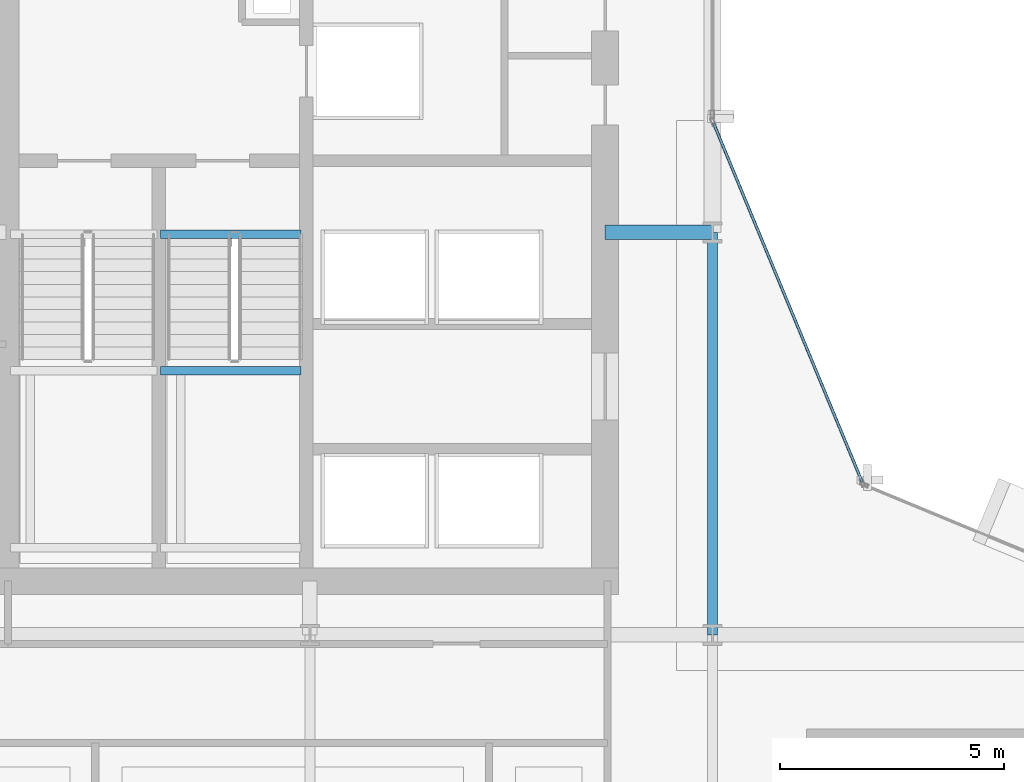
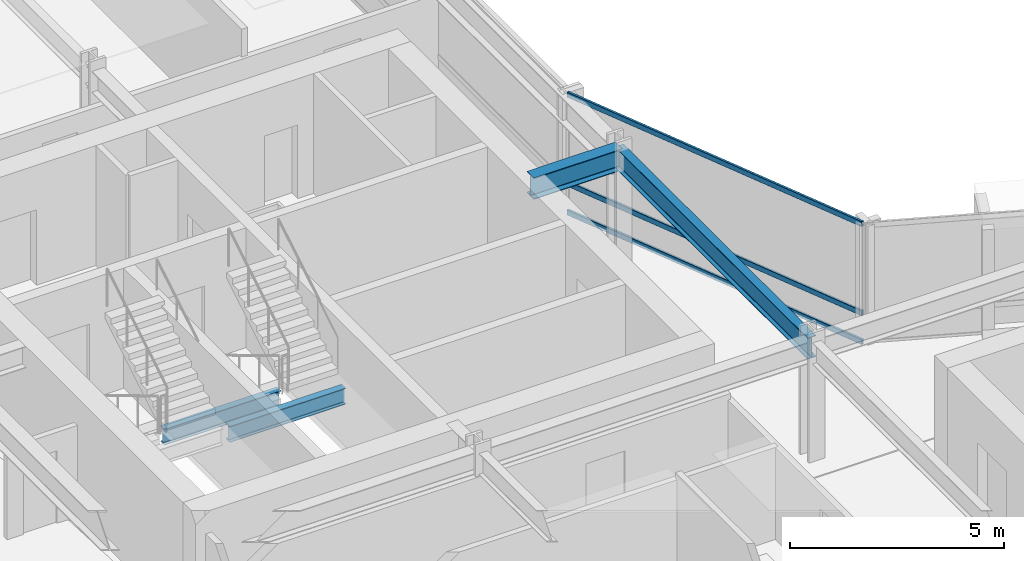
# One storey, part 20 of 34: 4 beams, 3 members, 1 element without a shape of its own.
"""IFC4 building model written with IfcOpenShell, lengths in metres."""

from ifc_helpers import new_model, si_unit, direction, frame, origin, origin_2d, place, context, subcontext, project, spatial, hollow_rectangle, i_section, extrude, material, layer, layer_set, material_profile, profile_set, type_object, element, aggregate, save


model = new_model("IFC4")

# Units and contexts
model_context = context("Model", 3, precision=1e-05, world=origin(), true_north=direction((0.0, 1.0)))
body_context = subcontext(model_context, "Body", "Model", "MODEL_VIEW")
ifc_project = project(units=[si_unit("LENGTHUNIT", "METRE"), si_unit("AREAUNIT", "SQUARE_METRE"), si_unit("VOLUMEUNIT", "CUBIC_METRE"), si_unit("PLANEANGLEUNIT", "RADIAN"), si_unit("MASSUNIT", "GRAM", prefix="KILO")], contexts=[model_context])

# Site, building, storey
site_placement = place(None, origin())
site = spatial("IfcSite", under=ifc_project, at=site_placement, CompositionType="ELEMENT")
building_placement = place(site_placement, origin())
building = spatial("IfcBuilding", under=site, at=building_placement, Name="Solvaryn Broadcast Tower", CompositionType="ELEMENT")
storey_placement = place(building_placement, frame((0.0, 0.0, 76.699951171875)))
storey = spatial("IfcBuildingStorey", under=building, at=storey_placement, Name="L18", CompositionType="ELEMENT", Elevation=76.699951171875)

# Beams
ifc_material_1 = material(Name="Steel ASTM A992 Grade 50", Category="steel")
ifc_material_profile_1 = material_profile(ifc_material_1, i_section(OverallWidth=0.323974609375, OverallDepth=0.611083984375, WebThickness=0.0126953125, FlangeThickness=0.01904296875, FilletRadius=0.014892578125, at=origin_2d()))
ifc_profile_set_1 = profile_set([ifc_material_profile_1], Name="Steel ASTM A992 Grade 50")
beam_type_1 = type_object("IfcBeamType", Name="BM-B1-W24X104", PredefinedType="BEAM", material=ifc_profile_set_1)
beam_1_placement = place(storey_placement, frame((24.60009765625, 36.0, 3.114501953125), z_axis=(1.0, 0.0, 0.0), x_axis=(0.0, 1.0, 0.0)))
element("IfcBeam", 1, at=beam_1_placement, inside=storey, type_object=beam_type_1, Name="L18 Core Tie Beam CTW2", PredefinedType="BEAM", context=body_context, shape_type="SweptSolid", body=[
    extrude(i_section(OverallWidth=0.323974609375, OverallDepth=0.611083984375, WebThickness=0.0126953125, FlangeThickness=0.01904296875, FilletRadius=0.014892578125, at=origin_2d()), origin(), (0.0, 0.0, 1.0), 2.39990234375),
])
ifc_material_2 = material(Name="Steel ASTM A992 Grade 50", Category="steel")
ifc_material_profile_2 = material_profile(ifc_material_2, i_section(OverallWidth=0.22802734375, OverallDepth=0.60791015625, WebThickness=0.01123046875, FlangeThickness=0.017333984375, FilletRadius=0.014892578125, at=origin_2d()))
ifc_profile_set_2 = profile_set([ifc_material_profile_2], Name="Steel ASTM A992 Grade 50")
beam_type_2 = type_object("IfcBeamType", Name="BM-B2-W24X76", PredefinedType="BEAM", material=ifc_profile_set_2)
beam_2_placement = place(storey_placement, frame((27.0, 27.0, 3.115966796875), z_axis=(0.0, 1.0, 0.0), x_axis=(-1.0, 0.0, 0.0)))
element("IfcBeam", 2, at=beam_2_placement, inside=storey, type_object=beam_type_2, Name="L18 Primary Beam Y (27-36 @ X=27)", PredefinedType="BEAM", context=body_context, shape_type="SweptSolid", body=[
    extrude(i_section(OverallWidth=0.22802734375, OverallDepth=0.60791015625, WebThickness=0.01123046875, FlangeThickness=0.017333984375, FilletRadius=0.014892578125, at=origin_2d()), origin(), (0.0, 0.0, 1.0), 9.0),
])
ifc_material_3 = material(Name="Steel ASTM A992 Grade 50", Category="steel")
ifc_material_profile_3 = material_profile(ifc_material_3, i_section(OverallWidth=0.18994140625, OverallDepth=0.45703125, WebThickness=0.009033203125, FlangeThickness=0.014404296875, FilletRadius=0.011962890625, at=origin_2d()))
ifc_profile_set_3 = profile_set([ifc_material_profile_3], Name="Steel ASTM A992 Grade 50")
beam_type_3 = type_object("IfcBeamType", Name="BM-B4-W18X50", PredefinedType="BEAM", material=ifc_profile_set_3)
for number, where, z_axis, x_axis, name in (
    (3, (14.659912109375, 35.9599609375, -0.508544921875), (1.0, 0.0, 0.0), (0.0, 1.0, 0.0), "L18 ST2 Stair Well Trimmer Beam"),
    (4, (14.659912109375, 32.909912109375, 1.421630859375), (1.0, 0.0, 0.0), (0.0, 1.0, 0.0), "L18 ST2 Landing Support Beam 1B"),
):
    element("IfcBeam", number, at=place(storey_placement, frame(where, z_axis=z_axis, x_axis=x_axis)), inside=storey, type_object=beam_type_3, Name=name, PredefinedType="BEAM", context=body_context, shape_type="SweptSolid", body=[
        extrude(i_section(OverallWidth=0.18994140625, OverallDepth=0.45703125, WebThickness=0.009033203125, FlangeThickness=0.014404296875, FilletRadius=0.011962890625, at=origin_2d()), origin(), (0.0, 0.0, 1.0), 3.14013671875),
    ])

# Curtain wall, members
ifc_material_4 = material(Name="Aluminium and Terracotta Unitised Curtain Wall", Category="masonry")
ifc_layer = layer(ifc_material_4, 0.199951171875)
ifc_layer_set = layer_set([ifc_layer], Name="CW-SYS2-LOWMID")
curtain_wall_type = type_object("IfcCurtainWallType", Name="CW-SYS2-LOWMID", PredefinedType="NOTDEFINED", material=ifc_layer_set)
curtain_wall_placement = place(storey_placement, origin())
curtain_wall = element("IfcCurtainWall", 5, at=curtain_wall_placement, inside=storey, type_object=curtain_wall_type, Name="L18 Curtain Wall CN2", PredefinedType="NOTDEFINED")
ifc_material_5 = material(Name="Anodised Aluminium 6063-T6", Category="aluminium")
ifc_material_profile_4 = material_profile(ifc_material_5, hollow_rectangle(XDim=0.06494140625, YDim=0.14990234375, WallThickness=0.00390625, InnerFilletRadius=0.00390625, OuterFilletRadius=0.008056640625, at=origin_2d()))
ifc_profile_set_4 = profile_set([ifc_material_profile_4], Name="Anodised Aluminium 6063-T6")
member_type = type_object("IfcMemberType", Name="CW-TRN-150", PredefinedType="USERDEFINED", material=ifc_profile_set_4)
member_1_placement = place(storey_placement, frame((30.344970703125, 30.42333984375, 0.030029296875), z_axis=(-0.382635748975, 0.923899282177, 0.0), x_axis=(-0.923899282177, -0.382635748975, 0.0)))
member_1 = element("IfcMember", 6, at=member_1_placement, type_object=member_type, Name="CWS2 transom 1.1", ObjectType="TRANSOM", PredefinedType="USERDEFINED", context=body_context, shape_type="SweptSolid", body=[
    extrude(hollow_rectangle(XDim=0.06494140625, YDim=0.14990234375, WallThickness=0.00390625, InnerFilletRadius=0.00390625, OuterFilletRadius=0.008056640625, at=origin_2d()), origin(), (0.0, 0.0, 1.0), 8.681884765625),
])
member_2_placement = place(storey_placement, frame((30.344970703125, 30.42333984375, 0.85009765625), z_axis=(-0.382635748975, 0.923899282177, 0.0), x_axis=(-0.923899282177, -0.382635748975, 0.0)))
member_2 = element("IfcMember", 7, at=member_2_placement, type_object=member_type, Name="CWS2 transom 1.2", ObjectType="TRANSOM", PredefinedType="USERDEFINED", context=body_context, shape_type="SweptSolid", body=[
    extrude(hollow_rectangle(XDim=0.06494140625, YDim=0.14990234375, WallThickness=0.00390625, InnerFilletRadius=0.00390625, OuterFilletRadius=0.008056640625, at=origin_2d()), origin(), (0.0, 0.0, 1.0), 8.681884765625),
])
member_3_placement = place(storey_placement, frame((30.344970703125, 30.42333984375, 3.39013671875), z_axis=(-0.382635748975, 0.923899282177, 0.0), x_axis=(-0.923899282177, -0.382635748975, 0.0)))
member_3 = element("IfcMember", 8, at=member_3_placement, type_object=member_type, Name="CWS2 transom 1.3", ObjectType="TRANSOM", PredefinedType="USERDEFINED", context=body_context, shape_type="SweptSolid", body=[
    extrude(hollow_rectangle(XDim=0.06494140625, YDim=0.14990234375, WallThickness=0.00390625, InnerFilletRadius=0.00390625, OuterFilletRadius=0.008056640625, at=origin_2d()), origin(), (0.0, 0.0, 1.0), 8.681884765625),
])
aggregate(curtain_wall, [member_1, member_2, member_3])

save(model, "model.ifc")
